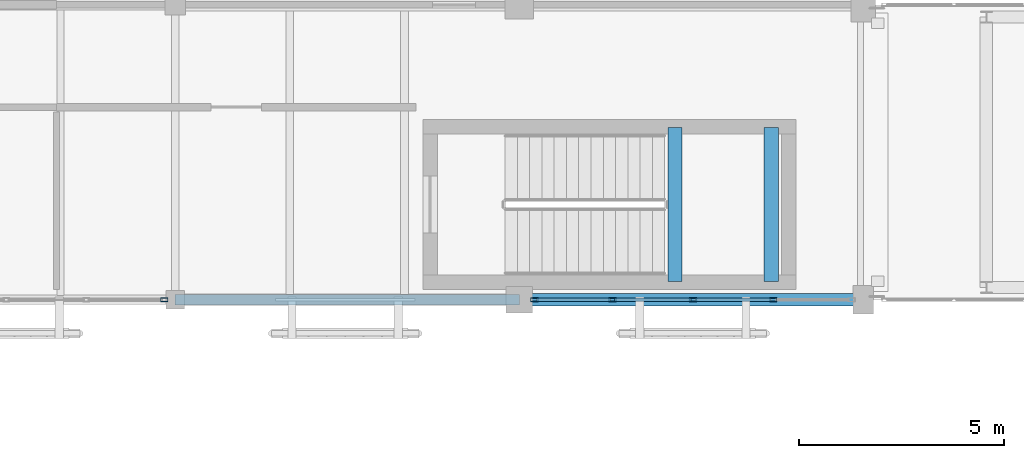
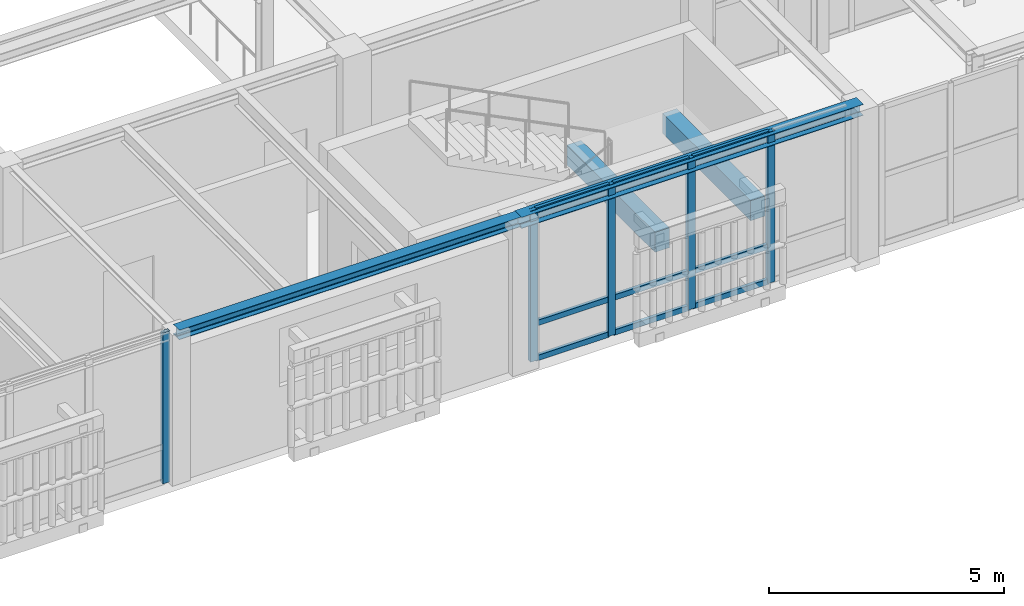
# One storey, part 76 of 170: 14 members, 4 beams, 2 elements without a shape of their own.
"""IFC4 building model written with IfcOpenShell, lengths in metres."""

from ifc_helpers import new_model, si_unit, direction, frame, origin, origin_2d, place, context, subcontext, project, spatial, rectangle, hollow_rectangle, i_section, extrude, material, layer, layer_set, material_profile, profile_set, type_object, element, aggregate, save


model = new_model("IFC4")

# Units and contexts
model_context = context("Model", 3, precision=1e-05, world=origin(), true_north=direction((0.0, 1.0)))
body_context = subcontext(model_context, "Body", "Model", "MODEL_VIEW")
ifc_project = project(units=[si_unit("LENGTHUNIT", "METRE"), si_unit("AREAUNIT", "SQUARE_METRE"), si_unit("VOLUMEUNIT", "CUBIC_METRE"), si_unit("PLANEANGLEUNIT", "RADIAN"), si_unit("MASSUNIT", "GRAM", prefix="KILO")], contexts=[model_context])

# Site, building, storey
site_placement = place(None, origin())
site = spatial("IfcSite", under=ifc_project, at=site_placement, CompositionType="ELEMENT")
building_placement = place(site_placement, origin())
building = spatial("IfcBuilding", under=site, at=building_placement, Name="Mazaris Harbour Polytechnic", CompositionType="ELEMENT")
storey_placement = place(building_placement, frame((0.0, 0.0, 5.39990234375)))
storey = spatial("IfcBuildingStorey", under=building, at=storey_placement, Name="L01", CompositionType="ELEMENT", Elevation=5.39990234375)

# Curtain wall, member
ifc_material_1 = material(Name="Anodised Bronze Aluminium and Low-E Glass", Category="aluminium")
ifc_layer = layer(ifc_material_1, 0.14990234375, Name="Anodised Bronze Aluminium and Low-E Glass")
ifc_layer_set = layer_set([ifc_layer], Name="Anodised Bronze Aluminium and Low-E Glass")
curtain_wall_type = type_object("IfcCurtainWallType", Name="Workshop Clerestory Curtain Wall", PredefinedType="NOTDEFINED", material=ifc_layer_set)
curtain_wall_1_placement = place(storey_placement, origin())
curtain_wall_1 = element("IfcCurtainWall", 1, at=curtain_wall_1_placement, inside=storey, type_object=curtain_wall_type, Name="V1 L01 Curtain Wall 15", PredefinedType="NOTDEFINED")
ifc_material_2 = material(Name="Anodised Bronze Steel S355", Category="steel")
ifc_material_profile_1 = material_profile(ifc_material_2, hollow_rectangle(XDim=0.10009765625, YDim=0.179931640625, WallThickness=0.008056640625, at=origin_2d()), Name="RHS 100x180x8.0")
ifc_profile_set_1 = profile_set([ifc_material_profile_1], Name="Anodised Bronze Steel S355")
member_type_1 = type_object("IfcMemberType", Name="Curtain Mullion RHS100x180", PredefinedType="MULLION", material=ifc_profile_set_1)
member_1_placement = place(storey_placement, frame((95.73291015625, 75.60009765625, 0.0), z_axis=(0.0, 0.0, 1.0), x_axis=(0.0, -1.0, 0.0)))
member_1 = element("IfcMember", 2, at=member_1_placement, type_object=member_type_1, Name="CW-04 mullion 1", PredefinedType="MULLION", context=body_context, shape_type="SweptSolid", body=[
    extrude(hollow_rectangle(XDim=0.10009765625, YDim=0.179931640625, WallThickness=0.008056640625, at=origin_2d()), origin(), (0.0, 0.0, 1.0), 3.920166015625),
])
aggregate(curtain_wall_1, [member_1])

# Curtain wall, members
curtain_wall_2_placement = place(storey_placement, origin())
curtain_wall_2 = element("IfcCurtainWall", 3, at=curtain_wall_2_placement, inside=storey, type_object=curtain_wall_type, Name="V1 L01 Curtain Wall 16", PredefinedType="NOTDEFINED")
member_2_placement = place(storey_placement, frame((110.59765625, 75.60009765625, 0.0), z_axis=(0.0, 0.0, 1.0), x_axis=(0.0, -1.0, 0.0)))
member_2 = element("IfcMember", 4, at=member_2_placement, type_object=member_type_1, Name="CW-04 mullion 2", PredefinedType="MULLION", context=body_context, shape_type="SweptSolid", body=[
    extrude(hollow_rectangle(XDim=0.10009765625, YDim=0.179931640625, WallThickness=0.008056640625, at=origin_2d()), origin(), (0.0, 0.0, 1.0), 3.920166015625),
])
member_3_placement = place(storey_placement, frame((108.637451171875, 75.60009765625, 0.0), z_axis=(0.0, 0.0, 1.0), x_axis=(0.0, -1.0, 0.0)))
member_3 = element("IfcMember", 5, at=member_3_placement, type_object=member_type_1, Name="CW-04 mullion 3", PredefinedType="MULLION", context=body_context, shape_type="SweptSolid", body=[
    extrude(hollow_rectangle(XDim=0.10009765625, YDim=0.179931640625, WallThickness=0.008056640625, at=origin_2d()), origin(), (0.0, 0.0, 1.0), 3.920166015625),
])
member_4_placement = place(storey_placement, frame((106.67724609375, 75.60009765625, 0.0), z_axis=(0.0, 0.0, 1.0), x_axis=(0.0, -1.0, 0.0)))
member_4 = element("IfcMember", 6, at=member_4_placement, type_object=member_type_1, Name="CW-04 mullion 4", PredefinedType="MULLION", context=body_context, shape_type="SweptSolid", body=[
    extrude(hollow_rectangle(XDim=0.10009765625, YDim=0.179931640625, WallThickness=0.008056640625, at=origin_2d()), origin(), (0.0, 0.0, 1.0), 3.920166015625),
])
member_5_placement = place(storey_placement, frame((104.76708984375, 75.60009765625, 0.0), z_axis=(0.0, 0.0, 1.0), x_axis=(0.0, -1.0, 0.0)))
member_5 = element("IfcMember", 7, at=member_5_placement, type_object=member_type_1, Name="CW-04 mullion 5", PredefinedType="MULLION", context=body_context, shape_type="SweptSolid", body=[
    extrude(hollow_rectangle(XDim=0.10009765625, YDim=0.179931640625, WallThickness=0.008056640625, at=origin_2d()), origin(), (0.0, 0.0, 1.0), 3.920166015625),
])
ifc_material_3 = material(Name="Anodised Bronze Steel S355", Category="steel")
ifc_material_profile_2 = material_profile(ifc_material_3, hollow_rectangle(XDim=0.080078125, YDim=0.139892578125, WallThickness=0.00634765625, at=origin_2d()), Name="RHS 80x140x6.3")
ifc_profile_set_2 = profile_set([ifc_material_profile_2], Name="Anodised Bronze Steel S355")
member_type_2 = type_object("IfcMemberType", Name="Curtain Transom RHS80x140", PredefinedType="USERDEFINED", material=ifc_profile_set_2)
member_6_placement = place(storey_placement, frame((110.5478515625, 75.60009765625, 0.0400390625), z_axis=(-1.0, 0.0, 0.0), x_axis=(0.0, -1.0, 0.0)))
member_6 = element("IfcMember", 8, at=member_6_placement, type_object=member_type_2, Name="CW-04 transom 2.1", ObjectType="TRANSOM", PredefinedType="USERDEFINED", context=body_context, shape_type="SweptSolid", body=[
    extrude(hollow_rectangle(XDim=0.080078125, YDim=0.139892578125, WallThickness=0.00634765625, at=origin_2d()), origin(), (0.0, 0.0, 1.0), 1.8603515625),
])
member_7_placement = place(storey_placement, frame((110.5478515625, 75.60009765625, 0.9501953125), z_axis=(-1.0, 0.0, 0.0), x_axis=(0.0, -1.0, 0.0)))
member_7 = element("IfcMember", 9, at=member_7_placement, type_object=member_type_2, Name="CW-04 transom 2.2", ObjectType="TRANSOM", PredefinedType="USERDEFINED", context=body_context, shape_type="SweptSolid", body=[
    extrude(hollow_rectangle(XDim=0.080078125, YDim=0.139892578125, WallThickness=0.00634765625, at=origin_2d()), origin(), (0.0, 0.0, 1.0), 1.8603515625),
])
member_8_placement = place(storey_placement, frame((110.5478515625, 75.60009765625, 3.880126953125), z_axis=(-1.0, 0.0, 0.0), x_axis=(0.0, -1.0, 0.0)))
member_8 = element("IfcMember", 10, at=member_8_placement, type_object=member_type_2, Name="CW-04 transom 2.3", ObjectType="TRANSOM", PredefinedType="USERDEFINED", context=body_context, shape_type="SweptSolid", body=[
    extrude(hollow_rectangle(XDim=0.080078125, YDim=0.139892578125, WallThickness=0.00634765625, at=origin_2d()), origin(), (0.0, 0.0, 1.0), 1.8603515625),
])
member_9_placement = place(storey_placement, frame((108.58740234375, 75.60009765625, 0.0400390625), z_axis=(-1.0, 0.0, 0.0), x_axis=(0.0, -1.0, 0.0)))
member_9 = element("IfcMember", 11, at=member_9_placement, type_object=member_type_2, Name="CW-04 transom 3.1", ObjectType="TRANSOM", PredefinedType="USERDEFINED", context=body_context, shape_type="SweptSolid", body=[
    extrude(hollow_rectangle(XDim=0.080078125, YDim=0.139892578125, WallThickness=0.00634765625, at=origin_2d()), origin(), (0.0, 0.0, 1.0), 1.860107421875),
])
member_10_placement = place(storey_placement, frame((108.58740234375, 75.60009765625, 0.9501953125), z_axis=(-1.0, 0.0, 0.0), x_axis=(0.0, -1.0, 0.0)))
member_10 = element("IfcMember", 12, at=member_10_placement, type_object=member_type_2, Name="CW-04 transom 3.2", ObjectType="TRANSOM", PredefinedType="USERDEFINED", context=body_context, shape_type="SweptSolid", body=[
    extrude(hollow_rectangle(XDim=0.080078125, YDim=0.139892578125, WallThickness=0.00634765625, at=origin_2d()), origin(), (0.0, 0.0, 1.0), 1.860107421875),
])
member_11_placement = place(storey_placement, frame((108.58740234375, 75.60009765625, 3.880126953125), z_axis=(-1.0, 0.0, 0.0), x_axis=(0.0, -1.0, 0.0)))
member_11 = element("IfcMember", 13, at=member_11_placement, type_object=member_type_2, Name="CW-04 transom 3.3", ObjectType="TRANSOM", PredefinedType="USERDEFINED", context=body_context, shape_type="SweptSolid", body=[
    extrude(hollow_rectangle(XDim=0.080078125, YDim=0.139892578125, WallThickness=0.00634765625, at=origin_2d()), origin(), (0.0, 0.0, 1.0), 1.860107421875),
])
member_12_placement = place(storey_placement, frame((106.627197265625, 75.60009765625, 0.0400390625), z_axis=(-1.0, 0.0, 0.0), x_axis=(0.0, -1.0, 0.0)))
member_12 = element("IfcMember", 14, at=member_12_placement, type_object=member_type_2, Name="CW-04 transom 4.1", ObjectType="TRANSOM", PredefinedType="USERDEFINED", context=body_context, shape_type="SweptSolid", body=[
    extrude(hollow_rectangle(XDim=0.080078125, YDim=0.139892578125, WallThickness=0.00634765625, at=origin_2d()), origin(), (0.0, 0.0, 1.0), 1.810302734375),
])
member_13_placement = place(storey_placement, frame((106.627197265625, 75.60009765625, 0.9501953125), z_axis=(-1.0, 0.0, 0.0), x_axis=(0.0, -1.0, 0.0)))
member_13 = element("IfcMember", 15, at=member_13_placement, type_object=member_type_2, Name="CW-04 transom 4.2", ObjectType="TRANSOM", PredefinedType="USERDEFINED", context=body_context, shape_type="SweptSolid", body=[
    extrude(hollow_rectangle(XDim=0.080078125, YDim=0.139892578125, WallThickness=0.00634765625, at=origin_2d()), origin(), (0.0, 0.0, 1.0), 1.810302734375),
])
member_14_placement = place(storey_placement, frame((106.627197265625, 75.60009765625, 3.880126953125), z_axis=(-1.0, 0.0, 0.0), x_axis=(0.0, -1.0, 0.0)))
member_14 = element("IfcMember", 16, at=member_14_placement, type_object=member_type_2, Name="CW-04 transom 4.3", ObjectType="TRANSOM", PredefinedType="USERDEFINED", context=body_context, shape_type="SweptSolid", body=[
    extrude(hollow_rectangle(XDim=0.080078125, YDim=0.139892578125, WallThickness=0.00634765625, at=origin_2d()), origin(), (0.0, 0.0, 1.0), 1.810302734375),
])
aggregate(curtain_wall_2, [member_2, member_3, member_4, member_5, member_6, member_7, member_8, member_9, member_10, member_11, member_12, member_13, member_14])

# Beams
ifc_material_4 = material(Name="Concrete C40/50", Category="concrete")
ifc_material_profile_3 = material_profile(ifc_material_4, rectangle(XDim=0.35009765625, YDim=0.52001953125, at=origin_2d()), Name="RECT350x520")
ifc_profile_set_3 = profile_set([ifc_material_profile_3], Name="Concrete C40/50")
beam_type_1 = type_object("IfcBeamType", Name="RC Landing Bearer 350x520", PredefinedType="BEAM", material=ifc_profile_set_3)
for number, where, z_axis, x_axis, name in (
    (17, (108.199951171875, 76.050048828125, 1.64013671875), (0.0, 1.0, 0.0), (-1.0, 0.0, 0.0), "Core ST02 L01 Landing Bearer"),
    (18, (110.550048828125, 76.050048828125, 1.64013671875), (0.0, 1.0, 0.0), (-1.0, 0.0, 0.0), "Core ST02 L01 Landing Bearer"),
):
    element("IfcBeam", number, at=place(storey_placement, frame(where, z_axis=z_axis, x_axis=x_axis)), inside=storey, type_object=beam_type_1, Name=name, PredefinedType="BEAM", context=body_context, shape_type="SweptSolid", body=[
        extrude(rectangle(XDim=0.35009765625, YDim=0.52001953125, at=origin_2d()), origin(), (0.0, 0.0, 1.0), 3.75),
    ])
ifc_material_5 = material(Name="Steel S355", Category="steel")
ifc_material_profile_4 = material_profile(ifc_material_5, i_section(OverallWidth=0.260009765625, OverallDepth=0.25, WebThickness=0.007568359375, FlangeThickness=0.012451171875, FilletRadius=0.02392578125, at=origin_2d()), Name="HEA 260")
ifc_profile_set_4 = profile_set([ifc_material_profile_4], Name="Steel S355")
beam_type_2 = type_object("IfcBeamType", Name="Steel Beam HEA260 Exterior", PredefinedType="SPANDREL", material=ifc_profile_set_4)
beam_1_placement = place(storey_placement, frame((96.0, 75.60009765625, 3.795166015625), z_axis=(1.0, 0.0, 0.0), x_axis=(0.0, 1.0, 0.0)))
element("IfcBeam", 19, at=beam_1_placement, inside=storey, type_object=beam_type_2, Name="V1 L01 Girder 236", PredefinedType="SPANDREL", context=body_context, shape_type="SweptSolid", body=[
    extrude(i_section(OverallWidth=0.260009765625, OverallDepth=0.25, WebThickness=0.007568359375, FlangeThickness=0.012451171875, FilletRadius=0.02392578125, at=origin_2d()), origin(), (0.0, 0.0, 1.0), 8.39990234375),
])
ifc_material_6 = material(Name="Steel S355", Category="steel")
ifc_material_profile_5 = material_profile(ifc_material_6, i_section(OverallWidth=0.300048828125, OverallDepth=0.2900390625, WebThickness=0.008544921875, FlangeThickness=0.013916015625, FilletRadius=0.027099609375, at=origin_2d()), Name="HEA 300")
ifc_profile_set_5 = profile_set([ifc_material_profile_5], Name="Steel S355")
beam_type_3 = type_object("IfcBeamType", Name="Steel Beam HEA300 Exterior", PredefinedType="SPANDREL", material=ifc_profile_set_5)
beam_2_placement = place(storey_placement, frame((104.39990234375, 75.60009765625, 3.775146484375), z_axis=(1.0, 0.0, 0.0), x_axis=(0.0, 1.0, 0.0)))
element("IfcBeam", 20, at=beam_2_placement, inside=storey, type_object=beam_type_3, Name="V1 L01 Girder 237", PredefinedType="SPANDREL", context=body_context, shape_type="SweptSolid", body=[
    extrude(i_section(OverallWidth=0.300048828125, OverallDepth=0.2900390625, WebThickness=0.008544921875, FlangeThickness=0.013916015625, FilletRadius=0.027099609375, at=origin_2d()), origin(), (0.0, 0.0, 1.0), 8.400146484375),
])

save(model, "model.ifc")
